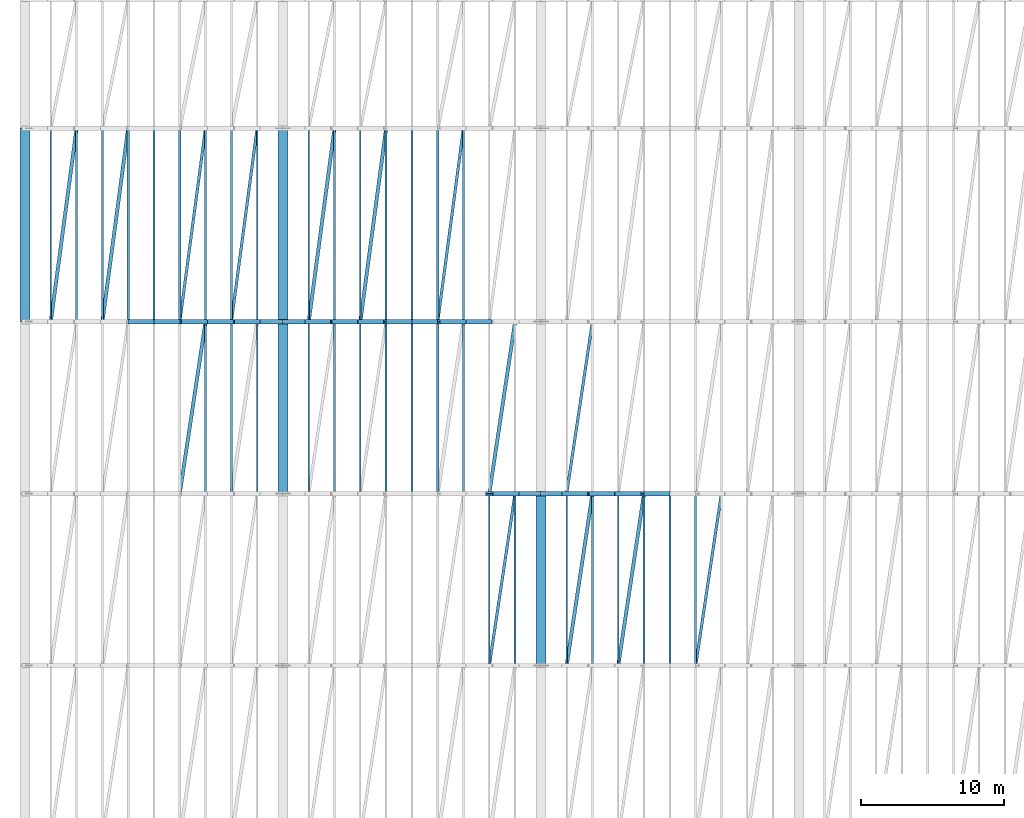
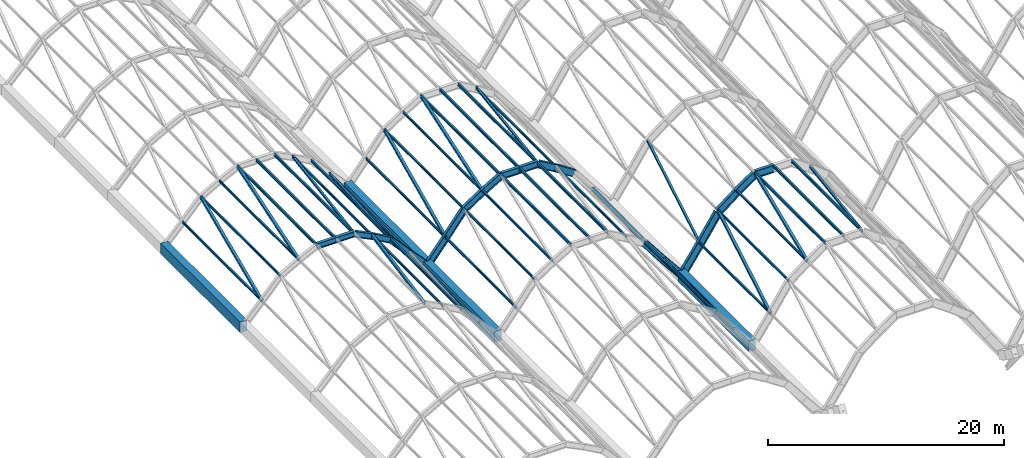
# One storey, part 10 of 86: 48 members, 25 beams.
"""IFC4 building model written with IfcOpenShell, lengths in metres."""

from ifc_helpers import new_model, si_unit, direction, frame, origin, origin_2d, place, context, subcontext, project, spatial, rectangle, i_section, extrude, material, material_profile, profile_set, type_object, element, save


model = new_model("IFC4")

# Units and contexts
model_context = context("Model", 3, precision=1e-05, world=origin(), true_north=direction((0.0, 1.0)))
body_context = subcontext(model_context, "Body", "Model", "MODEL_VIEW")
ifc_project = project(units=[si_unit("LENGTHUNIT", "METRE"), si_unit("AREAUNIT", "SQUARE_METRE"), si_unit("VOLUMEUNIT", "CUBIC_METRE"), si_unit("PLANEANGLEUNIT", "RADIAN"), si_unit("MASSUNIT", "GRAM", prefix="KILO")], contexts=[model_context])

# Site, building, storey
site_placement = place(None, origin())
site = spatial("IfcSite", under=ifc_project, at=site_placement, CompositionType="ELEMENT")
building_placement = place(site_placement, origin())
building = spatial("IfcBuilding", under=site, at=building_placement, Name="Chuanluo Vaults Station", CompositionType="ELEMENT")
storey_placement = place(building_placement, frame((0.0, 0.0, 14.39990234375)))
storey = spatial("IfcBuildingStorey", under=building, at=storey_placement, Name="L03", CompositionType="ELEMENT", Elevation=14.39990234375)

# Beams
ifc_material_1 = material(Name="Concrete C50", Category="concrete")
ifc_material_profile_1 = material_profile(ifc_material_1, rectangle(XDim=0.699951171875, YDim=1.10009765625, at=origin_2d()))
ifc_profile_set_1 = profile_set([ifc_material_profile_1], Name="Concrete C50")
beam_type_1 = type_object("IfcBeamType", Name="BM-VAL-RC", PredefinedType="USERDEFINED", material=ifc_profile_set_1)
beam_1_placement = place(storey_placement, frame((0.0, 54.0, -0.7998046875), z_axis=(0.0, 1.0, 0.0), x_axis=(-1.0, 0.0, 0.0)))
element("IfcBeam", 1, at=beam_1_placement, inside=storey, type_object=beam_type_1, Name="Vault springing valley beam X0-4", ObjectType="GIRDER", PredefinedType="USERDEFINED", context=body_context, shape_type="SweptSolid", body=[
    extrude(rectangle(XDim=0.699951171875, YDim=1.10009765625, at=origin_2d()), origin(), (0.0, 0.0, 1.0), 13.5),
])
beam_2_placement = place(storey_placement, frame((18.0, 42.0, -0.7998046875), z_axis=(0.0, 1.0, 0.0), x_axis=(-1.0, 0.0, 0.0)))
element("IfcBeam", 2, at=beam_2_placement, inside=storey, type_object=beam_type_1, Name="Vault springing valley beam X18-3", ObjectType="GIRDER", PredefinedType="USERDEFINED", context=body_context, shape_type="SweptSolid", body=[
    extrude(rectangle(XDim=0.699951171875, YDim=1.10009765625, at=origin_2d()), origin(), (0.0, 0.0, 1.0), 12.0),
])
beam_3_placement = place(storey_placement, frame((18.0, 54.0, -0.7998046875), z_axis=(0.0, 1.0, 0.0), x_axis=(-1.0, 0.0, 0.0)))
element("IfcBeam", 3, at=beam_3_placement, inside=storey, type_object=beam_type_1, Name="Vault springing valley beam X18-4", ObjectType="GIRDER", PredefinedType="USERDEFINED", context=body_context, shape_type="SweptSolid", body=[
    extrude(rectangle(XDim=0.699951171875, YDim=1.10009765625, at=origin_2d()), origin(), (0.0, 0.0, 1.0), 13.5),
])
beam_4_placement = place(storey_placement, frame((36.0, 30.0, -0.7998046875), z_axis=(0.0, 1.0, 0.0), x_axis=(-1.0, 0.0, 0.0)))
element("IfcBeam", 4, at=beam_4_placement, inside=storey, type_object=beam_type_1, Name="Vault springing valley beam X36-2", ObjectType="GIRDER", PredefinedType="USERDEFINED", context=body_context, shape_type="SweptSolid", body=[
    extrude(rectangle(XDim=0.699951171875, YDim=1.10009765625, at=origin_2d()), origin(), (0.0, 0.0, 1.0), 12.0),
])
ifc_material_2 = material(Name="Steel Q355C", Category="steel")
ifc_material_profile_2 = material_profile(ifc_material_2, i_section(OverallWidth=0.300048828125, OverallDepth=0.587890625, WebThickness=0.011962890625, FlangeThickness=0.02001953125, FilletRadius=0.02392578125, at=origin_2d()))
ifc_profile_set_2 = profile_set([ifc_material_profile_2], Name="Steel Q355C")
beam_type_2 = type_object("IfcBeamType", Name="BM-VLT-600", PredefinedType="USERDEFINED", material=ifc_profile_set_2)
for number, where, z_axis, x_axis, name in (
    (5, (7.199951171875, 54.0, 5.0361328125), (1.0, 0.0, 0.0), (0.0, 1.0, 0.0), "Vault V1 arch rib 4 chord 5"),
    (6, (9.0, 54.0, 5.0361328125), (1.0, 0.0, 0.0), (0.0, 1.0, 0.0), "Vault V1 arch rib 4 chord 6"),
):
    element("IfcBeam", number, at=place(storey_placement, frame(where, z_axis=z_axis, x_axis=x_axis)), inside=storey, type_object=beam_type_2, Name=name, ObjectType="GIRDER", PredefinedType="USERDEFINED", context=body_context, shape_type="SweptSolid", body=[
        extrude(i_section(OverallWidth=0.300048828125, OverallDepth=0.587890625, WebThickness=0.011962890625, FlangeThickness=0.02001953125, FilletRadius=0.02392578125, at=origin_2d()), origin(), (0.0, 0.0, 1.0), 1.800048828125),
    ])
beam_5_placement = place(storey_placement, frame((10.800048828125, 54.0, 5.0361328125), z_axis=(0.896436371213, 0.0, -0.443172463457), x_axis=(0.0, 1.0, 0.0)))
element("IfcBeam", 7, at=beam_5_placement, inside=storey, type_object=beam_type_2, Name="Vault V1 arch rib 4 chord 7", ObjectType="GIRDER", PredefinedType="USERDEFINED", context=body_context, shape_type="SweptSolid", body=[
    extrude(i_section(OverallWidth=0.300048828125, OverallDepth=0.587890625, WebThickness=0.011962890625, FlangeThickness=0.02001953125, FilletRadius=0.02392578125, at=origin_2d()), origin(), (0.0, 0.0, 1.0), 2.008056640625),
])
beam_6_placement = place(storey_placement, frame((12.60009765625, 54.0, 4.146240234375), z_axis=(0.873681685546, 0.0, -0.486498008569), x_axis=(0.0, 1.0, 0.0)))
element("IfcBeam", 8, at=beam_6_placement, inside=storey, type_object=beam_type_2, Name="Vault V1 arch rib 4 chord 8", ObjectType="GIRDER", PredefinedType="USERDEFINED", context=body_context, shape_type="SweptSolid", body=[
    extrude(i_section(OverallWidth=0.300048828125, OverallDepth=0.587890625, WebThickness=0.011962890625, FlangeThickness=0.02001953125, FilletRadius=0.02392578125, at=origin_2d()), origin(), (0.0, 0.0, 1.0), 2.06005859375),
])
beam_7_placement = place(storey_placement, frame((14.39990234375, 54.0, 3.14404296875), z_axis=(0.674369120381, 0.0, -0.738394399679), x_axis=(0.0, 1.0, 0.0)))
element("IfcBeam", 9, at=beam_7_placement, inside=storey, type_object=beam_type_2, Name="Vault V1 arch rib 4 chord 9", ObjectType="GIRDER", PredefinedType="USERDEFINED", context=body_context, shape_type="SweptSolid", body=[
    extrude(i_section(OverallWidth=0.300048828125, OverallDepth=0.587890625, WebThickness=0.011962890625, FlangeThickness=0.02001953125, FilletRadius=0.02392578125, at=origin_2d()), origin(), (0.0, 0.0, 1.0), 2.669189453125),
])
beam_8_placement = place(storey_placement, frame((16.199951171875, 54.0, 1.173095703125), z_axis=(0.684521510403, 0.0, -0.728992662374), x_axis=(0.0, 1.0, 0.0)))
element("IfcBeam", 10, at=beam_8_placement, inside=storey, type_object=beam_type_2, Name="Vault V1 arch rib 4 chord 10", ObjectType="GIRDER", PredefinedType="USERDEFINED", context=body_context, shape_type="SweptSolid", body=[
    extrude(i_section(OverallWidth=0.300048828125, OverallDepth=0.587890625, WebThickness=0.011962890625, FlangeThickness=0.02001953125, FilletRadius=0.02392578125, at=origin_2d()), origin(), (0.0, 0.0, 1.0), 2.629638671875),
])
ifc_material_3 = material(Name="Steel Q355C", Category="steel")
ifc_material_profile_3 = material_profile(ifc_material_3, i_section(OverallWidth=0.300048828125, OverallDepth=0.699951171875, WebThickness=0.012939453125, FlangeThickness=0.02392578125, FilletRadius=0.02392578125, at=origin_2d()))
ifc_profile_set_3 = profile_set([ifc_material_profile_3], Name="Steel Q355C")
beam_type_3 = type_object("IfcBeamType", Name="BM-VLT-700", PredefinedType="USERDEFINED", material=ifc_profile_set_3)
beam_9_placement = place(storey_placement, frame((32.39990234375, 42.0, 3.74560546875), z_axis=(0.613681275736, 0.0, -0.789553856182), x_axis=(0.0, 1.0, 0.0)))
element("IfcBeam", 11, at=beam_9_placement, inside=storey, type_object=beam_type_3, Name="Vault V2 arch rib 3 chord 9", ObjectType="GIRDER", PredefinedType="USERDEFINED", context=body_context, shape_type="SweptSolid", body=[
    extrude(i_section(OverallWidth=0.300048828125, OverallDepth=0.699951171875, WebThickness=0.012939453125, FlangeThickness=0.02392578125, FilletRadius=0.02392578125, at=origin_2d()), origin(), (0.0, 0.0, 1.0), 2.93310546875),
])
for number, where, z_axis, x_axis, name in (
    (12, (34.199951171875, 42.0, 1.4296875), (0.628190338877, 0.0, -0.778059700885), (0.0, 1.0, 0.0), "Vault V2 arch rib 3 chord 10"),
    (13, (18.0, 54.0, -0.7998046875), (0.628190338877, 0.0, 0.778059700885), (0.0, 1.0, 0.0), "Vault V2 arch rib 4 chord 1"),
):
    element("IfcBeam", number, at=place(storey_placement, frame(where, z_axis=z_axis, x_axis=x_axis)), inside=storey, type_object=beam_type_3, Name=name, ObjectType="GIRDER", PredefinedType="USERDEFINED", context=body_context, shape_type="SweptSolid", body=[
        extrude(i_section(OverallWidth=0.300048828125, OverallDepth=0.699951171875, WebThickness=0.012939453125, FlangeThickness=0.02392578125, FilletRadius=0.02392578125, at=origin_2d()), origin(), (0.0, 0.0, 1.0), 2.865478515625),
    ])
beam_10_placement = place(storey_placement, frame((19.800048828125, 54.0, 1.4296875), z_axis=(0.613681275736, 0.0, 0.789553856182), x_axis=(0.0, 1.0, 0.0)))
element("IfcBeam", 14, at=beam_10_placement, inside=storey, type_object=beam_type_3, Name="Vault V2 arch rib 4 chord 2", ObjectType="GIRDER", PredefinedType="USERDEFINED", context=body_context, shape_type="SweptSolid", body=[
    extrude(i_section(OverallWidth=0.300048828125, OverallDepth=0.699951171875, WebThickness=0.012939453125, FlangeThickness=0.02392578125, FilletRadius=0.02392578125, at=origin_2d()), origin(), (0.0, 0.0, 1.0), 2.93310546875),
])
beam_11_placement = place(storey_placement, frame((21.60009765625, 54.0, 3.74560546875), z_axis=(0.836145448105, 0.0, 0.54850778446), x_axis=(0.0, 1.0, 0.0)))
element("IfcBeam", 15, at=beam_11_placement, inside=storey, type_object=beam_type_3, Name="Vault V2 arch rib 4 chord 3", ObjectType="GIRDER", PredefinedType="USERDEFINED", context=body_context, shape_type="SweptSolid", body=[
    extrude(i_section(OverallWidth=0.300048828125, OverallDepth=0.699951171875, WebThickness=0.012939453125, FlangeThickness=0.02392578125, FilletRadius=0.02392578125, at=origin_2d()), origin(), (0.0, 0.0, 1.0), 2.152587890625),
])
beam_12_placement = place(storey_placement, frame((23.39990234375, 54.0, 4.92626953125), z_axis=(0.863009490662, 0.0, 0.505187706727), x_axis=(0.0, 1.0, 0.0)))
element("IfcBeam", 16, at=beam_12_placement, inside=storey, type_object=beam_type_3, Name="Vault V2 arch rib 4 chord 4", ObjectType="GIRDER", PredefinedType="USERDEFINED", context=body_context, shape_type="SweptSolid", body=[
    extrude(i_section(OverallWidth=0.300048828125, OverallDepth=0.699951171875, WebThickness=0.012939453125, FlangeThickness=0.02392578125, FilletRadius=0.02392578125, at=origin_2d()), origin(), (0.0, 0.0, 1.0), 2.085693359375),
])
for number, where, z_axis, x_axis, name in (
    (17, (25.199951171875, 54.0, 5.97998046875), (1.0, 0.0, 0.0), (0.0, 1.0, 0.0), "Vault V2 arch rib 4 chord 5"),
    (18, (27.0, 54.0, 5.97998046875), (1.0, 0.0, 0.0), (0.0, 1.0, 0.0), "Vault V2 arch rib 4 chord 6"),
):
    element("IfcBeam", number, at=place(storey_placement, frame(where, z_axis=z_axis, x_axis=x_axis)), inside=storey, type_object=beam_type_3, Name=name, ObjectType="GIRDER", PredefinedType="USERDEFINED", context=body_context, shape_type="SweptSolid", body=[
        extrude(i_section(OverallWidth=0.300048828125, OverallDepth=0.699951171875, WebThickness=0.012939453125, FlangeThickness=0.02392578125, FilletRadius=0.02392578125, at=origin_2d()), origin(), (0.0, 0.0, 1.0), 1.800048828125),
    ])
beam_13_placement = place(storey_placement, frame((28.800048828125, 54.0, 5.97998046875), z_axis=(0.863009490662, 0.0, -0.505187706727), x_axis=(0.0, 1.0, 0.0)))
element("IfcBeam", 19, at=beam_13_placement, inside=storey, type_object=beam_type_3, Name="Vault V2 arch rib 4 chord 7", ObjectType="GIRDER", PredefinedType="USERDEFINED", context=body_context, shape_type="SweptSolid", body=[
    extrude(i_section(OverallWidth=0.300048828125, OverallDepth=0.699951171875, WebThickness=0.012939453125, FlangeThickness=0.02392578125, FilletRadius=0.02392578125, at=origin_2d()), origin(), (0.0, 0.0, 1.0), 2.085693359375),
])
beam_14_placement = place(storey_placement, frame((30.60009765625, 54.0, 4.92626953125), z_axis=(0.836145448105, 0.0, -0.54850778446), x_axis=(0.0, 1.0, 0.0)))
element("IfcBeam", 20, at=beam_14_placement, inside=storey, type_object=beam_type_3, Name="Vault V2 arch rib 4 chord 8", ObjectType="GIRDER", PredefinedType="USERDEFINED", context=body_context, shape_type="SweptSolid", body=[
    extrude(i_section(OverallWidth=0.300048828125, OverallDepth=0.699951171875, WebThickness=0.012939453125, FlangeThickness=0.02392578125, FilletRadius=0.02392578125, at=origin_2d()), origin(), (0.0, 0.0, 1.0), 2.152587890625),
])
ifc_material_4 = material(Name="Steel Q355C", Category="steel")
ifc_material_profile_4 = material_profile(ifc_material_4, i_section(OverallWidth=0.300048828125, OverallDepth=0.800048828125, WebThickness=0.013916015625, FlangeThickness=0.02587890625, FilletRadius=0.02392578125, at=origin_2d()))
ifc_profile_set_4 = profile_set([ifc_material_profile_4], Name="Steel Q355C")
beam_type_4 = type_object("IfcBeamType", Name="BM-VLT-800", PredefinedType="USERDEFINED", material=ifc_profile_set_4)
beam_15_placement = place(storey_placement, frame((36.0, 42.0, -0.849853515625), z_axis=(0.568880934439, 0.0, 0.822419894234), x_axis=(0.0, 1.0, 0.0)))
element("IfcBeam", 21, at=beam_15_placement, inside=storey, type_object=beam_type_4, Name="Vault V3 arch rib 3 chord 1", ObjectType="GIRDER", PredefinedType="USERDEFINED", context=body_context, shape_type="SweptSolid", body=[
    extrude(i_section(OverallWidth=0.300048828125, OverallDepth=0.800048828125, WebThickness=0.013916015625, FlangeThickness=0.02587890625, FilletRadius=0.02392578125, at=origin_2d()), origin(), (0.0, 0.0, 1.0), 3.164306640625),
])
beam_16_placement = place(storey_placement, frame((37.800048828125, 42.0, 1.75244140625), z_axis=(0.550471867992, 0.0, 0.834853713263), x_axis=(0.0, 1.0, 0.0)))
element("IfcBeam", 22, at=beam_16_placement, inside=storey, type_object=beam_type_4, Name="Vault V3 arch rib 3 chord 2", ObjectType="GIRDER", PredefinedType="USERDEFINED", context=body_context, shape_type="SweptSolid", body=[
    extrude(i_section(OverallWidth=0.300048828125, OverallDepth=0.800048828125, WebThickness=0.013916015625, FlangeThickness=0.02587890625, FilletRadius=0.02392578125, at=origin_2d()), origin(), (0.0, 0.0, 1.0), 3.27001953125),
])
beam_17_placement = place(storey_placement, frame((39.60009765625, 42.0, 4.482421875), z_axis=(0.790274889356, 0.0, 0.612752477965), x_axis=(0.0, 1.0, 0.0)))
element("IfcBeam", 23, at=beam_17_placement, inside=storey, type_object=beam_type_4, Name="Vault V3 arch rib 3 chord 3", ObjectType="GIRDER", PredefinedType="USERDEFINED", context=body_context, shape_type="SweptSolid", body=[
    extrude(i_section(OverallWidth=0.300048828125, OverallDepth=0.800048828125, WebThickness=0.013916015625, FlangeThickness=0.02587890625, FilletRadius=0.02392578125, at=origin_2d()), origin(), (0.0, 0.0, 1.0), 2.27734375),
])
beam_18_placement = place(storey_placement, frame((41.39990234375, 42.0, 5.8779296875), z_axis=(0.820907471123, 0.0, 0.571061226012), x_axis=(0.0, 1.0, 0.0)))
element("IfcBeam", 24, at=beam_18_placement, inside=storey, type_object=beam_type_4, Name="Vault V3 arch rib 3 chord 4", ObjectType="GIRDER", PredefinedType="USERDEFINED", context=body_context, shape_type="SweptSolid", body=[
    extrude(i_section(OverallWidth=0.300048828125, OverallDepth=0.800048828125, WebThickness=0.013916015625, FlangeThickness=0.02587890625, FilletRadius=0.02392578125, at=origin_2d()), origin(), (0.0, 0.0, 1.0), 2.19287109375),
])
beam_19_placement = place(storey_placement, frame((43.199951171875, 42.0, 7.130126953125), z_axis=(1.0, 0.0, 0.0), x_axis=(0.0, 1.0, 0.0)))
element("IfcBeam", 25, at=beam_19_placement, inside=storey, type_object=beam_type_4, Name="Vault V3 arch rib 3 chord 5", ObjectType="GIRDER", PredefinedType="USERDEFINED", context=body_context, shape_type="SweptSolid", body=[
    extrude(i_section(OverallWidth=0.300048828125, OverallDepth=0.800048828125, WebThickness=0.013916015625, FlangeThickness=0.02587890625, FilletRadius=0.02392578125, at=origin_2d()), origin(), (0.0, 0.0, 1.0), 1.800048828125),
])

# Members
ifc_material_5 = material(Name="Steel Q355C", Category="steel")
ifc_material_profile_5 = material_profile(ifc_material_5, i_section(OverallWidth=0.125, OverallDepth=0.25, WebThickness=0.006103515625, FlangeThickness=0.009033203125, FilletRadius=0.011962890625, at=origin_2d()))
ifc_profile_set_5 = profile_set([ifc_material_profile_5], Name="Steel Q355C")
member_type_1 = type_object("IfcMemberType", Name="MEM-PUR-250", PredefinedType="PURLIN", material=ifc_profile_set_5)
for number, where, z_axis, x_axis, name in (
    (26, (12.60009765625, 42.0, 4.23779296875), (0.0, 1.0, 0.0), (-1.0, 0.0, 0.0), "Vault V1 purlin 3.7"),
    (27, (14.39990234375, 42.0, 3.206787109375), (0.0, 1.0, 0.0), (-1.0, 0.0, 0.0), "Vault V1 purlin 3.8"),
    (28, (16.199951171875, 42.0, 1.213134765625), (0.0, 1.0, 0.0), (-1.0, 0.0, 0.0), "Vault V1 purlin 3.9"),
):
    element("IfcMember", number, at=place(storey_placement, frame(where, z_axis=z_axis, x_axis=x_axis)), inside=storey, type_object=member_type_1, Name=name, PredefinedType="PURLIN", context=body_context, shape_type="SweptSolid", body=[
        extrude(i_section(OverallWidth=0.125, OverallDepth=0.25, WebThickness=0.006103515625, FlangeThickness=0.009033203125, FilletRadius=0.011962890625, at=origin_2d()), origin(), (0.0, 0.0, 1.0), 12.0),
    ])
for number, where, z_axis, x_axis, name in (
    (29, (1.800048828125, 54.0, 1.213134765625), (0.0, 1.0, 0.0), (-1.0, 0.0, 0.0), "Vault V1 purlin 4.1"),
    (30, (3.60009765625, 54.0, 3.206787109375), (0.0, 1.0, 0.0), (-1.0, 0.0, 0.0), "Vault V1 purlin 4.2"),
    (31, (5.39990234375, 54.0, 4.23779296875), (0.0, 1.0, 0.0), (-1.0, 0.0, 0.0), "Vault V1 purlin 4.3"),
    (32, (12.60009765625, 54.0, 4.23779296875), (0.0, 1.0, 0.0), (-1.0, 0.0, 0.0), "Vault V1 purlin 4.7"),
    (33, (14.39990234375, 54.0, 3.206787109375), (0.0, 1.0, 0.0), (-1.0, 0.0, 0.0), "Vault V1 purlin 4.8"),
    (34, (16.199951171875, 54.0, 1.213134765625), (0.0, 1.0, 0.0), (-1.0, 0.0, 0.0), "Vault V1 purlin 4.9"),
):
    element("IfcMember", number, at=place(storey_placement, frame(where, z_axis=z_axis, x_axis=x_axis)), inside=storey, type_object=member_type_1, Name=name, PredefinedType="PURLIN", context=body_context, shape_type="SweptSolid", body=[
        extrude(i_section(OverallWidth=0.125, OverallDepth=0.25, WebThickness=0.006103515625, FlangeThickness=0.009033203125, FilletRadius=0.011962890625, at=origin_2d()), origin(), (0.0, 0.0, 1.0), 13.5),
    ])
for number, where, z_axis, x_axis, name in (
    (35, (32.39990234375, 30.0, 3.849853515625), (0.0, 1.0, 0.0), (-1.0, 0.0, 0.0), "Vault V2 purlin 2.8"),
    (36, (34.199951171875, 30.0, 1.5126953125), (0.0, 1.0, 0.0), (-1.0, 0.0, 0.0), "Vault V2 purlin 2.9"),
    (37, (19.800048828125, 42.0, 1.5126953125), (0.0, 1.0, 0.0), (-1.0, 0.0, 0.0), "Vault V2 purlin 3.1"),
    (38, (21.60009765625, 42.0, 3.849853515625), (0.0, 1.0, 0.0), (-1.0, 0.0, 0.0), "Vault V2 purlin 3.2"),
    (39, (23.39990234375, 42.0, 5.068115234375), (0.0, 1.0, 0.0), (-1.0, 0.0, 0.0), "Vault V2 purlin 3.3"),
    (40, (30.60009765625, 42.0, 5.068115234375), (0.0, 1.0, 0.0), (-1.0, 0.0, 0.0), "Vault V2 purlin 3.7"),
):
    element("IfcMember", number, at=place(storey_placement, frame(where, z_axis=z_axis, x_axis=x_axis)), inside=storey, type_object=member_type_1, Name=name, PredefinedType="PURLIN", context=body_context, shape_type="SweptSolid", body=[
        extrude(i_section(OverallWidth=0.125, OverallDepth=0.25, WebThickness=0.006103515625, FlangeThickness=0.009033203125, FilletRadius=0.011962890625, at=origin_2d()), origin(), (0.0, 0.0, 1.0), 12.0),
    ])
for number, where, z_axis, x_axis, name in (
    (41, (19.800048828125, 54.0, 1.5126953125), (0.0, 1.0, 0.0), (-1.0, 0.0, 0.0), "Vault V2 purlin 4.1"),
    (42, (21.60009765625, 54.0, 3.849853515625), (0.0, 1.0, 0.0), (-1.0, 0.0, 0.0), "Vault V2 purlin 4.2"),
    (43, (23.39990234375, 54.0, 5.068115234375), (0.0, 1.0, 0.0), (-1.0, 0.0, 0.0), "Vault V2 purlin 4.3"),
    (44, (30.60009765625, 54.0, 5.068115234375), (0.0, 1.0, 0.0), (-1.0, 0.0, 0.0), "Vault V2 purlin 4.7"),
):
    element("IfcMember", number, at=place(storey_placement, frame(where, z_axis=z_axis, x_axis=x_axis)), inside=storey, type_object=member_type_1, Name=name, PredefinedType="PURLIN", context=body_context, shape_type="SweptSolid", body=[
        extrude(i_section(OverallWidth=0.125, OverallDepth=0.25, WebThickness=0.006103515625, FlangeThickness=0.009033203125, FilletRadius=0.011962890625, at=origin_2d()), origin(), (0.0, 0.0, 1.0), 13.5),
    ])
for number, where, z_axis, x_axis, name in (
    (45, (37.800048828125, 30.0, 1.86962890625), (0.0, 1.0, 0.0), (-1.0, 0.0, 0.0), "Vault V3 purlin 2.1"),
    (46, (39.60009765625, 30.0, 4.619384765625), (0.0, 1.0, 0.0), (-1.0, 0.0, 0.0), "Vault V3 purlin 2.2"),
    (47, (41.39990234375, 30.0, 6.062744140625), (0.0, 1.0, 0.0), (-1.0, 0.0, 0.0), "Vault V3 purlin 2.3"),
):
    element("IfcMember", number, at=place(storey_placement, frame(where, z_axis=z_axis, x_axis=x_axis)), inside=storey, type_object=member_type_1, Name=name, PredefinedType="PURLIN", context=body_context, shape_type="SweptSolid", body=[
        extrude(i_section(OverallWidth=0.125, OverallDepth=0.25, WebThickness=0.006103515625, FlangeThickness=0.009033203125, FilletRadius=0.011962890625, at=origin_2d()), origin(), (0.0, 0.0, 1.0), 12.0),
    ])
ifc_material_6 = material(Name="Steel Q355C", Category="steel")
ifc_material_profile_6 = material_profile(ifc_material_6, i_section(OverallWidth=0.14990234375, OverallDepth=0.300048828125, WebThickness=0.006591796875, FlangeThickness=0.009033203125, FilletRadius=0.012939453125, at=origin_2d()))
ifc_profile_set_6 = profile_set([ifc_material_profile_6], Name="Steel Q355C")
member_type_2 = type_object("IfcMemberType", Name="MEM-PUR-300", PredefinedType="PURLIN", material=ifc_profile_set_6)
for number, where, z_axis, x_axis, name in (
    (48, (7.199951171875, 54.0, 5.102294921875), (0.0, 1.0, 0.0), (-1.0, 0.0, 0.0), "Vault V1 purlin 4.4"),
    (49, (9.0, 54.0, 5.172119140625), (0.0, 1.0, 0.0), (-1.0, 0.0, 0.0), "Vault V1 purlin 4.5"),
    (50, (10.800048828125, 54.0, 5.102294921875), (0.0, 1.0, 0.0), (-1.0, 0.0, 0.0), "Vault V1 purlin 4.6"),
):
    element("IfcMember", number, at=place(storey_placement, frame(where, z_axis=z_axis, x_axis=x_axis)), inside=storey, type_object=member_type_2, Name=name, PredefinedType="PURLIN", context=body_context, shape_type="SweptSolid", body=[
        extrude(i_section(OverallWidth=0.14990234375, OverallDepth=0.300048828125, WebThickness=0.006591796875, FlangeThickness=0.009033203125, FilletRadius=0.012939453125, at=origin_2d()), origin(), (0.0, 0.0, 1.0), 13.5),
    ])
for number, where, z_axis, x_axis, name in (
    (51, (25.199951171875, 42.0, 6.085693359375), (0.0, 1.0, 0.0), (-1.0, 0.0, 0.0), "Vault V2 purlin 3.4"),
    (52, (27.0, 42.0, 6.172119140625), (0.0, 1.0, 0.0), (-1.0, 0.0, 0.0), "Vault V2 purlin 3.5"),
    (53, (28.800048828125, 42.0, 6.085693359375), (0.0, 1.0, 0.0), (-1.0, 0.0, 0.0), "Vault V2 purlin 3.6"),
):
    element("IfcMember", number, at=place(storey_placement, frame(where, z_axis=z_axis, x_axis=x_axis)), inside=storey, type_object=member_type_2, Name=name, PredefinedType="PURLIN", context=body_context, shape_type="SweptSolid", body=[
        extrude(i_section(OverallWidth=0.14990234375, OverallDepth=0.300048828125, WebThickness=0.006591796875, FlangeThickness=0.009033203125, FilletRadius=0.012939453125, at=origin_2d()), origin(), (0.0, 0.0, 1.0), 12.0),
    ])
for number, where, z_axis, x_axis, name in (
    (54, (25.199951171875, 54.0, 6.085693359375), (0.0, 1.0, 0.0), (-1.0, 0.0, 0.0), "Vault V2 purlin 4.4"),
    (55, (27.0, 54.0, 6.172119140625), (0.0, 1.0, 0.0), (-1.0, 0.0, 0.0), "Vault V2 purlin 4.5"),
    (56, (28.800048828125, 54.0, 6.085693359375), (0.0, 1.0, 0.0), (-1.0, 0.0, 0.0), "Vault V2 purlin 4.6"),
):
    element("IfcMember", number, at=place(storey_placement, frame(where, z_axis=z_axis, x_axis=x_axis)), inside=storey, type_object=member_type_2, Name=name, PredefinedType="PURLIN", context=body_context, shape_type="SweptSolid", body=[
        extrude(i_section(OverallWidth=0.14990234375, OverallDepth=0.300048828125, WebThickness=0.006591796875, FlangeThickness=0.009033203125, FilletRadius=0.012939453125, at=origin_2d()), origin(), (0.0, 0.0, 1.0), 13.5),
    ])
for number, where, z_axis, x_axis, name in (
    (57, (43.199951171875, 30.0, 7.264404296875), (0.0, 1.0, 0.0), (-1.0, 0.0, 0.0), "Vault V3 purlin 2.4"),
    (58, (45.0, 30.0, 7.3720703125), (0.0, 1.0, 0.0), (-1.0, 0.0, 0.0), "Vault V3 purlin 2.5"),
    (59, (46.800048828125, 30.0, 7.264404296875), (0.0, 1.0, 0.0), (-1.0, 0.0, 0.0), "Vault V3 purlin 2.6"),
):
    element("IfcMember", number, at=place(storey_placement, frame(where, z_axis=z_axis, x_axis=x_axis)), inside=storey, type_object=member_type_2, Name=name, PredefinedType="PURLIN", context=body_context, shape_type="SweptSolid", body=[
        extrude(i_section(OverallWidth=0.14990234375, OverallDepth=0.300048828125, WebThickness=0.006591796875, FlangeThickness=0.009033203125, FilletRadius=0.012939453125, at=origin_2d()), origin(), (0.0, 0.0, 1.0), 12.0),
    ])
ifc_material_7 = material(Name="Steel Q355C", Category="steel")
ifc_material_profile_7 = material_profile(ifc_material_7, i_section(OverallWidth=0.199951171875, OverallDepth=0.199951171875, WebThickness=0.008056640625, FlangeThickness=0.011962890625, FilletRadius=0.012939453125, at=origin_2d()))
ifc_profile_set_7 = profile_set([ifc_material_profile_7], Name="Steel Q355C")
member_type_3 = type_object("IfcMemberType", Name="MEM-VBR-200", PredefinedType="BRACE", material=ifc_profile_set_7)
member_1_placement = place(storey_placement, frame((10.800048828125, 54.0, 5.102294921875), z_axis=(0.131901785182, 0.989236554103, -0.063347920972), x_axis=(-0.991227431004, 0.132167242636, 0.0)))
element("IfcMember", 60, at=member_1_placement, inside=storey, type_object=member_type_3, Name="Vault V1 space-frame diagonal 4.6", PredefinedType="BRACE", context=body_context, shape_type="SweptSolid", body=[
    extrude(i_section(OverallWidth=0.199951171875, OverallDepth=0.199951171875, WebThickness=0.008056640625, FlangeThickness=0.011962890625, FilletRadius=0.012939453125, at=origin_2d()), origin(), (0.0, 0.0, 1.0), 13.64697265625),
])
member_2_placement = place(storey_placement, frame((14.39990234375, 54.0, 3.206787109375), z_axis=(0.130773572754, 0.980775190422, -0.144838870895), x_axis=(-0.991227431004, 0.132167242636, 0.0)))
element("IfcMember", 61, at=member_2_placement, inside=storey, type_object=member_type_3, Name="Vault V1 space-frame diagonal 4.8", PredefinedType="BRACE", context=body_context, shape_type="SweptSolid", body=[
    extrude(i_section(OverallWidth=0.199951171875, OverallDepth=0.199951171875, WebThickness=0.008056640625, FlangeThickness=0.011962890625, FilletRadius=0.012939453125, at=origin_2d()), origin(), (0.0, 0.0, 1.0), 13.7646484375),
])
member_3_placement = place(storey_placement, frame((32.39990234375, 30.0, 3.849853515625), z_axis=(0.145667019671, 0.971087122046, -0.189132019437), x_axis=(-0.988935762544, 0.148344388372, 0.0)))
element("IfcMember", 62, at=member_3_placement, inside=storey, type_object=member_type_3, Name="Vault V2 space-frame diagonal 2.8", PredefinedType="BRACE", context=body_context, shape_type="SweptSolid", body=[
    extrude(i_section(OverallWidth=0.199951171875, OverallDepth=0.199951171875, WebThickness=0.008056640625, FlangeThickness=0.011962890625, FilletRadius=0.012939453125, at=origin_2d()), origin(), (0.0, 0.0, 1.0), 12.357177734375),
])
member_4_placement = place(storey_placement, frame((28.800048828125, 54.0, 6.085693359375), z_axis=(0.131799880151, 0.988472287106, -0.074507242706), x_axis=(-0.991227431004, 0.132167242636, 0.0)))
element("IfcMember", 63, at=member_4_placement, inside=storey, type_object=member_type_3, Name="Vault V2 space-frame diagonal 4.6", PredefinedType="BRACE", context=body_context, shape_type="SweptSolid", body=[
    extrude(i_section(OverallWidth=0.199951171875, OverallDepth=0.199951171875, WebThickness=0.008056640625, FlangeThickness=0.011962890625, FilletRadius=0.012939453125, at=origin_2d()), origin(), (0.0, 0.0, 1.0), 13.657470703125),
])
member_5_placement = place(storey_placement, frame((46.800048828125, 30.0, 7.264404296875), z_axis=(0.147622287214, 0.984121885415, -0.098548338216), x_axis=(-0.988935762544, 0.148344388372, 0.0)))
element("IfcMember", 64, at=member_5_placement, inside=storey, type_object=member_type_3, Name="Vault V3 space-frame diagonal 2.6", PredefinedType="BRACE", context=body_context, shape_type="SweptSolid", body=[
    extrude(i_section(OverallWidth=0.199951171875, OverallDepth=0.199951171875, WebThickness=0.008056640625, FlangeThickness=0.011962890625, FilletRadius=0.012939453125, at=origin_2d()), origin(), (0.0, 0.0, 1.0), 12.193603515625),
])
member_6_placement = place(storey_placement, frame((37.800048828125, 42.0, 1.86962890625), z_axis=(0.144676148211, 0.964481491504, 0.221007386043), x_axis=(-0.988935762544, 0.148344388372, 0.0)))
element("IfcMember", 65, at=member_6_placement, inside=storey, type_object=member_type_3, Name="Vault V3 space-frame diagonal 3.1", PredefinedType="BRACE", context=body_context, shape_type="SweptSolid", body=[
    extrude(i_section(OverallWidth=0.199951171875, OverallDepth=0.199951171875, WebThickness=0.008056640625, FlangeThickness=0.011962890625, FilletRadius=0.012939453125, at=origin_2d()), origin(), (0.0, 0.0, 1.0), 12.44189453125),
])
ifc_material_8 = material(Name="Steel Q355C", Category="steel")
ifc_material_profile_8 = material_profile(ifc_material_8, i_section(OverallWidth=0.25, OverallDepth=0.25, WebThickness=0.009033203125, FlangeThickness=0.013916015625, FilletRadius=0.01611328125, at=origin_2d()))
ifc_profile_set_8 = profile_set([ifc_material_profile_8], Name="Steel Q355C")
member_type_4 = type_object("IfcMemberType", Name="MEM-VBR-250", PredefinedType="BRACE", material=ifc_profile_set_8)
member_7_placement = place(storey_placement, frame((10.800048828125, 42.0, 5.102294921875), z_axis=(0.147969331357, 0.986435450271, -0.071064614449), x_axis=(-0.988935762544, 0.148344388372, 0.0)))
element("IfcMember", 66, at=member_7_placement, inside=storey, type_object=member_type_4, Name="Vault V1 space-frame diagonal 3.6", PredefinedType="BRACE", context=body_context, shape_type="SweptSolid", body=[
    extrude(i_section(OverallWidth=0.25, OverallDepth=0.25, WebThickness=0.009033203125, FlangeThickness=0.013916015625, FilletRadius=0.01611328125, at=origin_2d()), origin(), (0.0, 0.0, 1.0), 12.1650390625),
])
member_8_placement = place(storey_placement, frame((1.800048828125, 54.0, 1.213134765625), z_axis=(0.130773572754, 0.980775190422, 0.144838870895), x_axis=(-0.991227431004, 0.132167242636, 0.0)))
element("IfcMember", 67, at=member_8_placement, inside=storey, type_object=member_type_4, Name="Vault V1 space-frame diagonal 4.1", PredefinedType="BRACE", context=body_context, shape_type="SweptSolid", body=[
    extrude(i_section(OverallWidth=0.25, OverallDepth=0.25, WebThickness=0.009033203125, FlangeThickness=0.013916015625, FilletRadius=0.01611328125, at=origin_2d()), origin(), (0.0, 0.0, 1.0), 13.7646484375),
])
member_9_placement = place(storey_placement, frame((5.39990234375, 54.0, 4.23779296875), z_axis=(0.131901785182, 0.989236554103, 0.063347920972), x_axis=(-0.991227431004, 0.132167242636, 0.0)))
element("IfcMember", 68, at=member_9_placement, inside=storey, type_object=member_type_4, Name="Vault V1 space-frame diagonal 4.3", PredefinedType="BRACE", context=body_context, shape_type="SweptSolid", body=[
    extrude(i_section(OverallWidth=0.25, OverallDepth=0.25, WebThickness=0.009033203125, FlangeThickness=0.013916015625, FilletRadius=0.01611328125, at=origin_2d()), origin(), (0.0, 0.0, 1.0), 13.64697265625),
])
member_10_placement = place(storey_placement, frame((32.39990234375, 42.0, 3.849853515625), z_axis=(0.145667019671, 0.971087122046, -0.189132019437), x_axis=(-0.988935762544, 0.148344388372, 0.0)))
element("IfcMember", 69, at=member_10_placement, inside=storey, type_object=member_type_4, Name="Vault V2 space-frame diagonal 3.8", PredefinedType="BRACE", context=body_context, shape_type="SweptSolid", body=[
    extrude(i_section(OverallWidth=0.25, OverallDepth=0.25, WebThickness=0.009033203125, FlangeThickness=0.013916015625, FilletRadius=0.01611328125, at=origin_2d()), origin(), (0.0, 0.0, 1.0), 12.357177734375),
])
member_11_placement = place(storey_placement, frame((19.800048828125, 54.0, 1.5126953125), z_axis=(0.130263166055, 0.976947244025, 0.169131871511), x_axis=(-0.991227431004, 0.132167242636, 0.0)))
element("IfcMember", 70, at=member_11_placement, inside=storey, type_object=member_type_4, Name="Vault V2 space-frame diagonal 4.1", PredefinedType="BRACE", context=body_context, shape_type="SweptSolid", body=[
    extrude(i_section(OverallWidth=0.25, OverallDepth=0.25, WebThickness=0.009033203125, FlangeThickness=0.013916015625, FilletRadius=0.01611328125, at=origin_2d()), origin(), (0.0, 0.0, 1.0), 13.818603515625),
])
member_12_placement = place(storey_placement, frame((23.39990234375, 54.0, 5.068115234375), z_axis=(0.131799880151, 0.988472287106, 0.074507242706), x_axis=(-0.991227431004, 0.132167242636, 0.0)))
element("IfcMember", 71, at=member_12_placement, inside=storey, type_object=member_type_4, Name="Vault V2 space-frame diagonal 4.3", PredefinedType="BRACE", context=body_context, shape_type="SweptSolid", body=[
    extrude(i_section(OverallWidth=0.25, OverallDepth=0.25, WebThickness=0.009033203125, FlangeThickness=0.013916015625, FilletRadius=0.01611328125, at=origin_2d()), origin(), (0.0, 0.0, 1.0), 13.657470703125),
])
member_13_placement = place(storey_placement, frame((37.800048828125, 30.0, 1.86962890625), z_axis=(0.144676148211, 0.964481491504, 0.221007386043), x_axis=(-0.988935762544, 0.148344388372, 0.0)))
element("IfcMember", 72, at=member_13_placement, inside=storey, type_object=member_type_4, Name="Vault V3 space-frame diagonal 2.1", PredefinedType="BRACE", context=body_context, shape_type="SweptSolid", body=[
    extrude(i_section(OverallWidth=0.25, OverallDepth=0.25, WebThickness=0.009033203125, FlangeThickness=0.013916015625, FilletRadius=0.01611328125, at=origin_2d()), origin(), (0.0, 0.0, 1.0), 12.44189453125),
])
member_14_placement = place(storey_placement, frame((41.39990234375, 30.0, 6.062744140625), z_axis=(0.147622287214, 0.984121885415, 0.098548338216), x_axis=(-0.988935762544, 0.148344388372, 0.0)))
element("IfcMember", 73, at=member_14_placement, inside=storey, type_object=member_type_4, Name="Vault V3 space-frame diagonal 2.3", PredefinedType="BRACE", context=body_context, shape_type="SweptSolid", body=[
    extrude(i_section(OverallWidth=0.25, OverallDepth=0.25, WebThickness=0.009033203125, FlangeThickness=0.013916015625, FilletRadius=0.01611328125, at=origin_2d()), origin(), (0.0, 0.0, 1.0), 12.193603515625),
])

save(model, "model.ifc")
